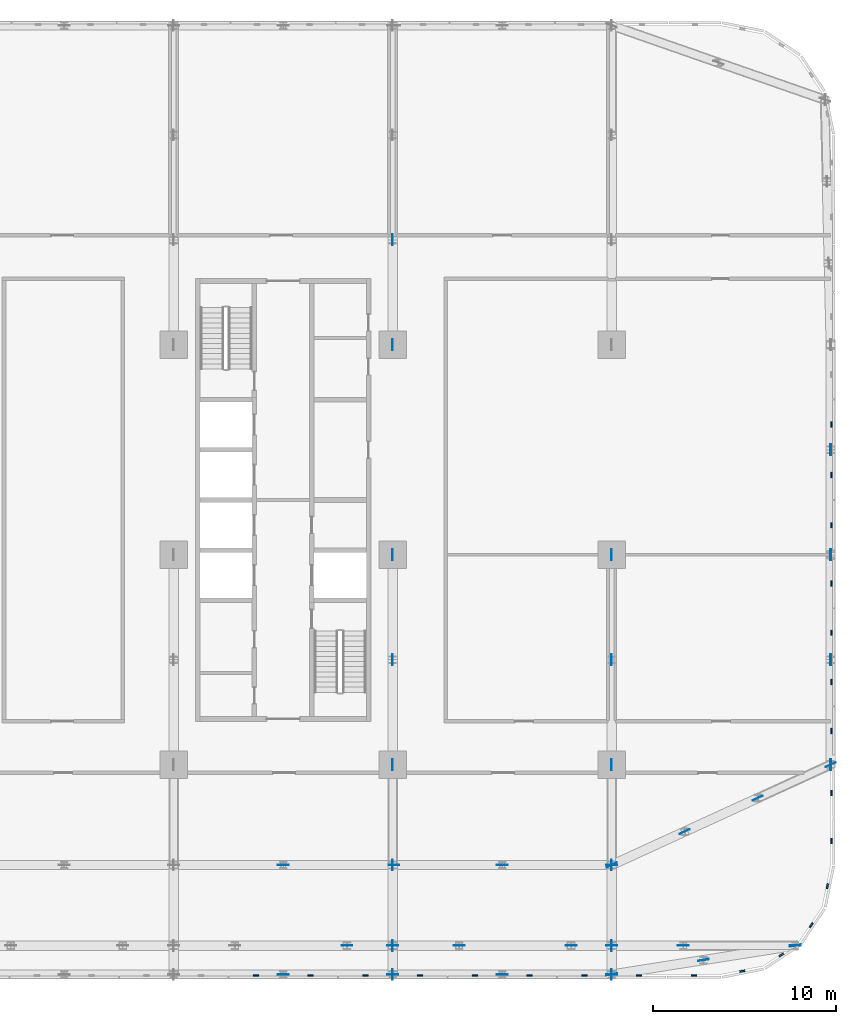
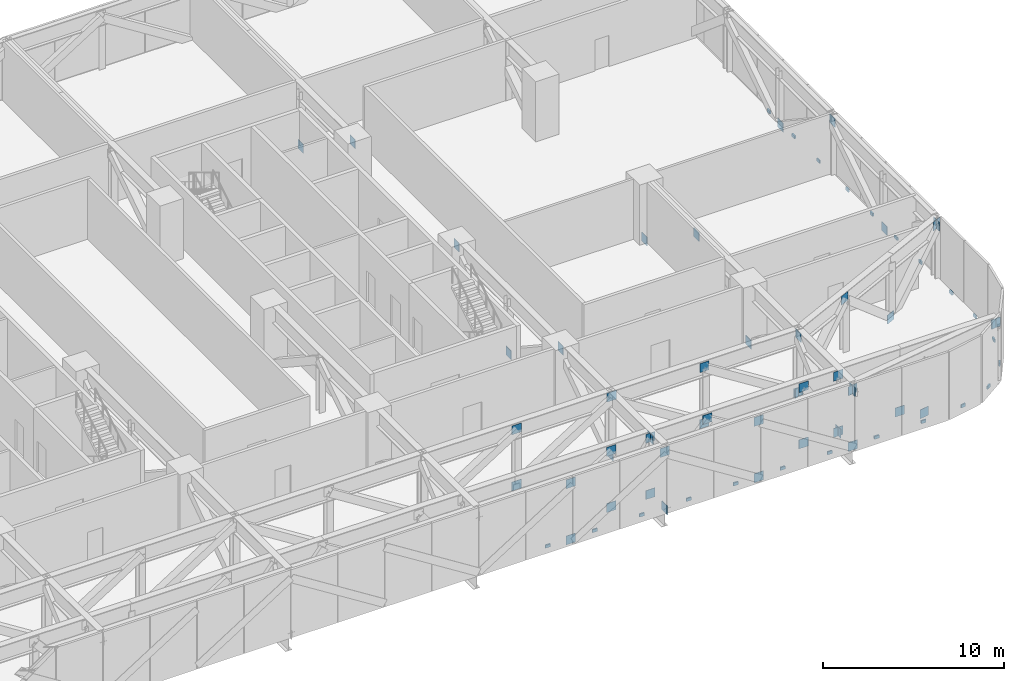
# One storey, part 19 of 26: 70 discrete accessories.
"""IFC4 building model written with IfcOpenShell, lengths in metres."""

from ifc_helpers import new_model, si_unit, direction, frame, origin, origin_2d, place, context, subcontext, project, spatial, rectangle, extrude, material, layer, layer_set, type_object, element, save


model = new_model("IFC4")

# Units and contexts
model_context = context("Model", 3, precision=1e-05, world=origin(), true_north=direction((0.0, 1.0)))
body_context = subcontext(model_context, "Body", "Model", "MODEL_VIEW")
ifc_project = project(units=[si_unit("LENGTHUNIT", "METRE"), si_unit("AREAUNIT", "SQUARE_METRE"), si_unit("VOLUMEUNIT", "CUBIC_METRE"), si_unit("PLANEANGLEUNIT", "RADIAN"), si_unit("MASSUNIT", "GRAM", prefix="KILO")], contexts=[model_context])

# Site, building, storey
site_placement = place(None, origin())
site = spatial("IfcSite", under=ifc_project, at=site_placement, CompositionType="ELEMENT")
building_placement = place(site_placement, origin())
building = spatial("IfcBuilding", under=site, at=building_placement, Name="Mahtab Terrace Research Tower", CompositionType="ELEMENT")
storey_placement = place(building_placement, frame((0.0, 0.0, 80.39990234375)))
storey = spatial("IfcBuildingStorey", under=building, at=storey_placement, Name="L18", CompositionType="ELEMENT", Elevation=80.39990234375)

# Discrete accessories
ifc_material_1 = material(Name="Black anodised aluminium", Category="aluminium")
discrete_accessory_type_1 = type_object("IfcDiscreteAccessoryType", Name="Facade bracket", PredefinedType="BRACKET", material=ifc_material_1)
for number, where, z_axis, x_axis, name in (
    (1, (22.5, -23.044921875, -0.2998046875), (0.0, 0.0, 1.0), (1.0, 0.0, 0.0), "Louvre bracket L18 74"),
    (2, (25.5, -23.044921875, -0.2998046875), (0.0, 0.0, 1.0), (1.0, 0.0, 0.0), "Louvre bracket L18 75"),
    (3, (28.5, -23.044921875, -0.2998046875), (0.0, 0.0, 1.0), (1.0, 0.0, 0.0), "Louvre bracket L18 76"),
    (4, (31.5, -23.044921875, -0.2998046875), (0.0, 0.0, 1.0), (1.0, 0.0, 0.0), "Louvre bracket L18 77"),
    (5, (34.5, -23.044921875, -0.2998046875), (0.0, 0.0, 1.0), (1.0, 0.0, 0.0), "Louvre bracket L18 78"),
    (6, (37.5, -23.044921875, -0.2998046875), (0.0, 0.0, 1.0), (1.0, 0.0, 0.0), "Louvre bracket L18 79"),
    (7, (40.5, -23.044921875, -0.2998046875), (0.0, 0.0, 1.0), (1.0, 0.0, 0.0), "Louvre bracket L18 80"),
    (8, (43.5, -23.044921875, -0.2998046875), (0.0, 0.0, 1.0), (1.0, 0.0, 0.0), "Louvre bracket L18 81"),
    (9, (46.5, -23.044921875, -0.2998046875), (0.0, 0.0, 1.0), (1.0, 0.0, 0.0), "Louvre bracket L18 82"),
    (10, (49.15673828125, -22.815673828125, -0.2998046875), (0.0, 0.0, 1.0), (0.980760981187, 0.195212442692, 0.0), "Louvre bracket L18 83"),
    (11, (51.29443359375, -21.930419921875, -0.2998046875), (0.0, 0.0, 1.0), (0.831655794326, 0.555291490808, 0.0), "Louvre bracket L18 84"),
    (12, (52.930419921875, -20.29443359375, -0.2998046875), (0.0, 0.0, 1.0), (0.555291490808, 0.831655794326, 0.0), "Louvre bracket L18 85"),
    (13, (53.815673828125, -18.15673828125, -0.2998046875), (0.0, 0.0, 1.0), (0.195212442692, 0.980760981187, 0.0), "Louvre bracket L18 86"),
    (14, (54.044921875, -15.6845703125, -0.2998046875), (0.0, 0.0, 1.0), (0.0, 1.0, 0.0), "Louvre bracket L18 87"),
    (15, (54.044921875, -13.053466796875, -0.2998046875), (0.0, 0.0, 1.0), (0.0, 1.0, 0.0), "Louvre bracket L18 88"),
    (16, (54.044921875, -9.65478515625, -0.2998046875), (0.0, 0.0, 1.0), (0.0, 1.0, 0.0), "Louvre bracket L18 89"),
    (17, (54.044921875, -6.96435546875, -0.2998046875), (0.0, 0.0, 1.0), (0.0, 1.0, 0.0), "Louvre bracket L18 90"),
    (18, (54.044921875, -4.273681640625, -0.2998046875), (0.0, 0.0, 1.0), (0.0, 1.0, 0.0), "Louvre bracket L18 91"),
    (19, (54.044921875, -1.583251953125, -0.2998046875), (0.0, 0.0, 1.0), (0.0, 1.0, 0.0), "Louvre bracket L18 92"),
    (20, (54.044921875, 1.615966796875, -0.2998046875), (0.0, 0.0, 1.0), (0.0, 1.0, 0.0), "Louvre bracket L18 93"),
    (21, (54.044921875, 4.3720703125, -0.2998046875), (0.0, 0.0, 1.0), (0.0, 1.0, 0.0), "Louvre bracket L18 94"),
    (22, (54.044921875, 7.1279296875, -0.2998046875), (0.0, 0.0, 1.0), (0.0, 1.0, 0.0), "Louvre bracket L18 95"),
):
    element("IfcDiscreteAccessory", number, at=place(storey_placement, frame(where, z_axis=z_axis, x_axis=x_axis)), inside=storey, type_object=discrete_accessory_type_1, Name=name, PredefinedType="BRACKET", context=body_context, shape_type="SweptSolid", body=[
        extrude(rectangle(XDim=0.300048828125, YDim=0.090087890625, at=origin_2d()), origin(), (0.0, 0.0, 1.0), 0.199951171875),
    ])
ifc_material_2 = material(Name="Steel ASTM A992 Gr 50", Category="steel")
ifc_layer = layer(ifc_material_2, 0.030029296875)
ifc_layer_set = layer_set([ifc_layer], Name="Gusset plate 600x600x30")
discrete_accessory_type_2 = type_object("IfcDiscreteAccessoryType", Name="Gusset plate 600x600x30", PredefinedType="USERDEFINED", material=ifc_layer_set)
for number, where, z_axis, x_axis, name in (
    (23, (24.0, -23.0, -0.593505859375), (0.0, 0.0, 1.0), (1.0, 0.0, 0.0), "Gusset plate"),
    (24, (24.0, -23.0, 3.201171875), (0.0, 0.0, 1.0), (1.0, 0.0, 0.0), "Gusset plate"),
    (25, (24.0, -17.0, -0.593505859375), (0.0, 0.0, 1.0), (1.0, 0.0, 0.0), "Gusset plate"),
    (26, (24.0, -17.0, 3.201171875), (0.0, 0.0, 1.0), (1.0, 0.0, 0.0), "Gusset plate"),
    (27, (27.49609375, -21.416015625, -0.593505859375), (0.0, 0.0, 1.0), (1.0, 0.0, 0.0), "Gusset plate"),
    (28, (27.49609375, -21.416015625, 3.201171875), (0.0, 0.0, 1.0), (1.0, 0.0, 0.0), "Gusset plate"),
    (29, (30.0, -23.0, 3.201171875), (0.0, 0.0, 1.0), (1.0, 0.0, 0.0), "Gusset plate"),
    (30, (30.0, -21.416015625, -0.593505859375), (0.0, 0.0, 1.0), (1.0, 0.0, 0.0), "Gusset plate"),
    (31, (30.0, -21.416015625, 3.201171875), (0.0, 0.0, 1.0), (1.0, 0.0, 0.0), "Gusset plate"),
    (32, (30.06982421875, -17.0, 3.28515625), (0.0, 0.0, 1.0), (1.0, 0.0, 0.0), "Gusset plate"),
    (33, (33.636962890625, -21.416015625, 3.201171875), (0.0, 0.0, 1.0), (1.0, 0.0, 0.0), "Gusset plate"),
    (34, (36.0, -23.0, -0.593505859375), (0.0, 0.0, 1.0), (1.0, 0.0, 0.0), "Gusset plate"),
    (35, (36.0, -23.0, 3.201171875), (0.0, 0.0, 1.0), (1.0, 0.0, 0.0), "Gusset plate"),
    (36, (36.0, -17.0, -0.593505859375), (0.0, 0.0, 1.0), (1.0, 0.0, 0.0), "Gusset plate"),
    (37, (36.0, -17.0, 3.201171875), (0.0, 0.0, 1.0), (1.0, 0.0, 0.0), "Gusset plate"),
    (38, (39.779052734375, -21.416015625, -0.593505859375), (0.0, 0.0, 1.0), (1.0, 0.0, 0.0), "Gusset plate"),
    (39, (39.779052734375, -21.416015625, 3.201171875), (0.0, 0.0, 1.0), (1.0, 0.0, 0.0), "Gusset plate"),
    (40, (42.0, -23.0, -0.593505859375), (0.0, 0.0, 1.0), (1.0, 0.0, 0.0), "Gusset plate"),
    (41, (42.0, -21.416015625, -0.593505859375), (0.0, 0.0, 1.0), (1.0, 0.0, 0.0), "Gusset plate"),
    (42, (42.0, -21.416015625, 3.201171875), (0.0, 0.0, 1.0), (1.0, 0.0, 0.0), "Gusset plate"),
    (43, (42.0, -17.0, -0.593505859375), (0.0, 0.0, 1.0), (1.0, 0.0, 0.0), "Gusset plate"),
    (44, (45.919921875, -21.416015625, -0.593505859375), (0.0, 0.0, 1.0), (1.0, 0.0, 0.0), "Gusset plate"),
    (45, (52.06201171875, -21.416015625, 3.201171875), (0.0, 0.0, 1.0), (1.0, 0.0, 0.0), "Gusset plate"),
    (46, (42.0, -23.0, 3.201171875), (0.0, 0.0, 1.0), (0.987835337919, 0.15550352137, 0.0), "Gusset plate"),
    (47, (47.031005859375, -22.2080078125, -0.593505859375), (0.0, 0.0, 1.0), (0.987835337919, 0.15550352137, 0.0), "Gusset plate"),
    (48, (52.06201171875, -21.416015625, 3.201171875), (0.0, 0.0, 1.0), (0.987835337919, 0.15550352137, 0.0), "Gusset plate"),
    (49, (42.0, -17.0, -0.593505859375), (0.0, 0.0, 1.0), (0.909090744247, 0.416598150168, 0.0), "Gusset plate"),
    (50, (46.0, -15.1669921875, 3.201171875), (0.0, 0.0, 1.0), (0.909090744247, 0.416598150168, 0.0), "Gusset plate"),
    (51, (50.0, -13.3330078125, -0.593505859375), (0.0, 0.0, 1.0), (0.909010746391, 0.416772675383, 0.0), "Gusset plate"),
    (52, (54.0, -11.5, 3.201171875), (0.0, 0.0, 1.0), (0.909090744247, 0.416598150168, 0.0), "Gusset plate"),
    (53, (30.0, -23.0, -0.593505859375), (0.0, 0.0, 1.0), (0.0, 1.0, 0.0), "Gusset plate"),
    (54, (30.0, -21.416015625, 3.201171875), (0.0, 0.0, 1.0), (0.0, 1.0, 0.0), "Gusset plate"),
    (55, (30.0, -17.0, -0.593505859375), (0.0, 0.0, 1.0), (0.0, 1.0, 0.0), "Gusset plate"),
    (56, (30.0, -11.5, 3.201171875), (0.0, 0.0, 1.0), (0.0, 1.0, 0.0), "Gusset plate"),
    (57, (30.0, -5.75, -0.593505859375), (0.0, 0.0, 1.0), (0.0, 1.0, 0.0), "Gusset plate"),
    (58, (30.0, 0.0, 3.201171875), (0.0, 0.0, 1.0), (0.0, 1.0, 0.0), "Gusset plate"),
    (59, (30.0, 11.5, 3.201171875), (0.0, 0.0, 1.0), (0.0, 1.0, 0.0), "Gusset plate"),
    (60, (30.0, 17.25, -0.593505859375), (0.0, 0.0, 1.0), (0.0, 1.0, 0.0), "Gusset plate"),
    (61, (42.0, -23.0, 3.201171875), (0.0, 0.0, 1.0), (0.0, 1.0, 0.0), "Gusset plate"),
    (62, (42.0, -21.416015625, -0.593505859375), (0.0, 0.0, 1.0), (0.0, 1.0, 0.0), "Gusset plate"),
    (63, (42.0, -17.0, 3.201171875), (0.0, 0.0, 1.0), (0.0, 1.0, 0.0), "Gusset plate"),
    (64, (42.0, -11.5, -0.593505859375), (0.0, 0.0, 1.0), (0.0, 1.0, 0.0), "Gusset plate"),
    (65, (42.0, -5.75, 3.201171875), (0.0, 0.0, 1.0), (0.0, 1.0, 0.0), "Gusset plate"),
    (66, (42.0, 0.0, -0.593505859375), (0.0, 0.0, 1.0), (0.0, 1.0, 0.0), "Gusset plate"),
    (67, (54.0, -11.5, 3.201171875), (0.0, 0.0, 1.0), (0.0, 1.0, 0.0), "Gusset plate"),
    (68, (54.0, -5.75, -0.593505859375), (0.0, 0.0, 1.0), (0.0, 1.0, 0.0), "Gusset plate"),
    (69, (54.0, 0.0, 3.201171875), (0.0, 0.0, 1.0), (0.0, 1.0, 0.0), "Gusset plate"),
    (70, (54.0, 5.75, -0.593505859375), (0.0, 0.0, 1.0), (0.0, 1.0, 0.0), "Gusset plate"),
):
    element("IfcDiscreteAccessory", number, at=place(storey_placement, frame(where, z_axis=z_axis, x_axis=x_axis)), inside=storey, type_object=discrete_accessory_type_2, Name=name, ObjectType="GUSSET PLATE", PredefinedType="USERDEFINED", context=body_context, shape_type="SweptSolid", body=[
        extrude(rectangle(XDim=0.60009765625, YDim=0.030029296875, at=origin_2d()), origin(), (0.0, 0.0, 1.0), 0.60009765625),
    ])

save(model, "model.ifc")
